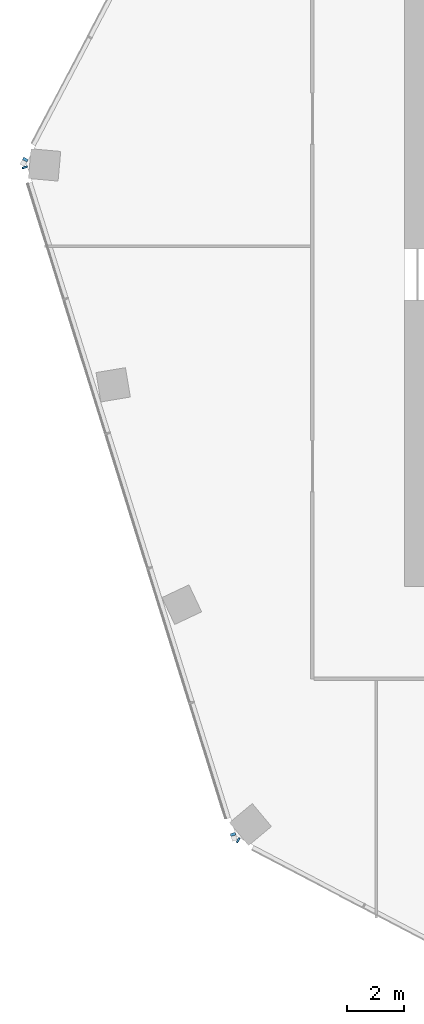
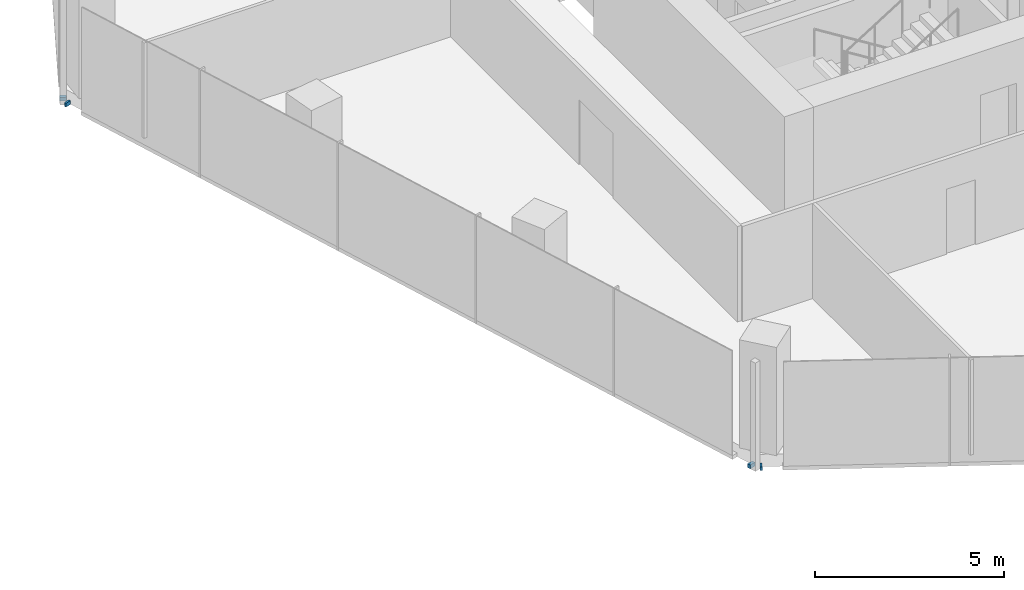
# One storey, part 12 of 23: 4 members, 3 elements without a shape of their own.
"""IFC4 building model written with IfcOpenShell, lengths in metres."""

from ifc_helpers import new_model, si_unit, direction, frame, origin, origin_2d, place, context, subcontext, project, spatial, rectangle, extrude, material, material_profile, profile_set, type_object, element, aggregate, save


model = new_model("IFC4")

# Units and contexts
model_context = context("Model", 3, precision=1e-05, world=origin(), true_north=direction((0.0, 1.0)))
body_context = subcontext(model_context, "Body", "Model", "MODEL_VIEW")
ifc_project = project(units=[si_unit("LENGTHUNIT", "METRE"), si_unit("AREAUNIT", "SQUARE_METRE"), si_unit("VOLUMEUNIT", "CUBIC_METRE"), si_unit("PLANEANGLEUNIT", "RADIAN"), si_unit("MASSUNIT", "GRAM", prefix="KILO")], contexts=[model_context])

# Site, building, storey
site_placement = place(None, origin())
site = spatial("IfcSite", under=ifc_project, at=site_placement, CompositionType="ELEMENT")
building_placement = place(site_placement, origin())
building = spatial("IfcBuilding", under=site, at=building_placement, Name="Orlundy Tower", CompositionType="ELEMENT")
storey_placement = place(building_placement, frame((0.0, 0.0, 257.0)))
storey = spatial("IfcBuildingStorey", under=building, at=storey_placement, Name="L68", CompositionType="ELEMENT", Elevation=257.0)

# Curtain wall, member
ifc_material_1 = material(Name="Aluminium bronze anodised", Category="aluminium")
curtain_wall_type = type_object("IfcCurtainWallType", Name="CW1 wall", PredefinedType="NOTDEFINED", material=ifc_material_1)
curtain_wall_1_placement = place(storey_placement, origin())
curtain_wall_1 = element("IfcCurtainWall", 1, at=curtain_wall_1_placement, inside=storey, type_object=curtain_wall_type, Name="CW1 run 00", PredefinedType="NOTDEFINED")
ifc_material_2 = material(Name="Aluminium bronze anodised", Category="aluminium")
ifc_material_profile = material_profile(ifc_material_2, rectangle(XDim=0.179931640625, YDim=0.1201171875, at=origin_2d()), Name="CW1 transom 180x120")
ifc_profile_set = profile_set([ifc_material_profile], Name="Aluminium bronze anodised")
member_type = type_object("IfcMemberType", Name="CW1 transom 180x120", PredefinedType="USERDEFINED", material=ifc_profile_set)
member_1_placement = place(storey_placement, frame((-24.8447265625, -20.948974609375, -0.340087890625), z_axis=(-0.884289970919, 0.466938162214, 0.0), x_axis=(-0.466938162214, -0.884289970919, 0.0)))
member_1 = element("IfcMember", 2, at=member_1_placement, type_object=member_type, Name="CW1 transom", ObjectType="TRANSOM", PredefinedType="USERDEFINED", context=body_context, shape_type="SweptSolid", body=[
    extrude(rectangle(XDim=0.179931640625, YDim=0.1201171875, at=origin_2d()), origin(), (0.0, 0.0, 1.0), 0.05908203125),
])
aggregate(curtain_wall_1, [member_1])

# Curtain wall, members
curtain_wall_2_placement = place(storey_placement, origin())
curtain_wall_2 = element("IfcCurtainWall", 3, at=curtain_wall_2_placement, inside=storey, type_object=curtain_wall_type, Name="CW1 run 01", PredefinedType="NOTDEFINED")
member_2_placement = place(storey_placement, frame((-25.03662109375, -20.7763671875, -0.340087890625), z_axis=(-0.299430668183, 0.954118061328, 0.0), x_axis=(-0.954118061328, -0.299430668183, 0.0)))
member_2 = element("IfcMember", 4, at=member_2_placement, type_object=member_type, Name="CW1 transom", ObjectType="TRANSOM", PredefinedType="USERDEFINED", context=body_context, shape_type="SweptSolid", body=[
    extrude(rectangle(XDim=0.179931640625, YDim=0.1201171875, at=origin_2d()), origin(), (0.0, 0.0, 1.0), 0.09619140625),
])
member_3_placement = place(storey_placement, frame((-32.380859375, 2.753173828125, -0.340087890625), z_axis=(-0.300555941545, 0.953764187838, 0.0), x_axis=(-0.953764187838, -0.300555941545, 0.0)))
member_3 = element("IfcMember", 5, at=member_3_placement, type_object=member_type, Name="CW1 transom", ObjectType="TRANSOM", PredefinedType="USERDEFINED", context=body_context, shape_type="SweptSolid", body=[
    extrude(rectangle(XDim=0.179931640625, YDim=0.1201171875, at=origin_2d()), origin(), (0.0, 0.0, 1.0), 0.06103515625),
])
aggregate(curtain_wall_2, [member_2, member_3])

# Curtain wall, member
curtain_wall_3_placement = place(storey_placement, origin())
curtain_wall_3 = element("IfcCurtainWall", 6, at=curtain_wall_3_placement, inside=storey, type_object=curtain_wall_type, Name="CW1 run 02", PredefinedType="NOTDEFINED")
member_4_placement = place(storey_placement, frame((-32.395263671875, 3.012451171875, -0.340087890625), z_axis=(0.465028834138, 0.885295534508, 0.0), x_axis=(-0.885295534508, 0.465028834138, 0.0)))
member_4 = element("IfcMember", 7, at=member_4_placement, type_object=member_type, Name="CW1 transom", ObjectType="TRANSOM", PredefinedType="USERDEFINED", context=body_context, shape_type="SweptSolid", body=[
    extrude(rectangle(XDim=0.179931640625, YDim=0.1201171875, at=origin_2d()), origin(), (0.0, 0.0, 1.0), 0.09814453125),
])
aggregate(curtain_wall_3, [member_4])

save(model, "model.ifc")
